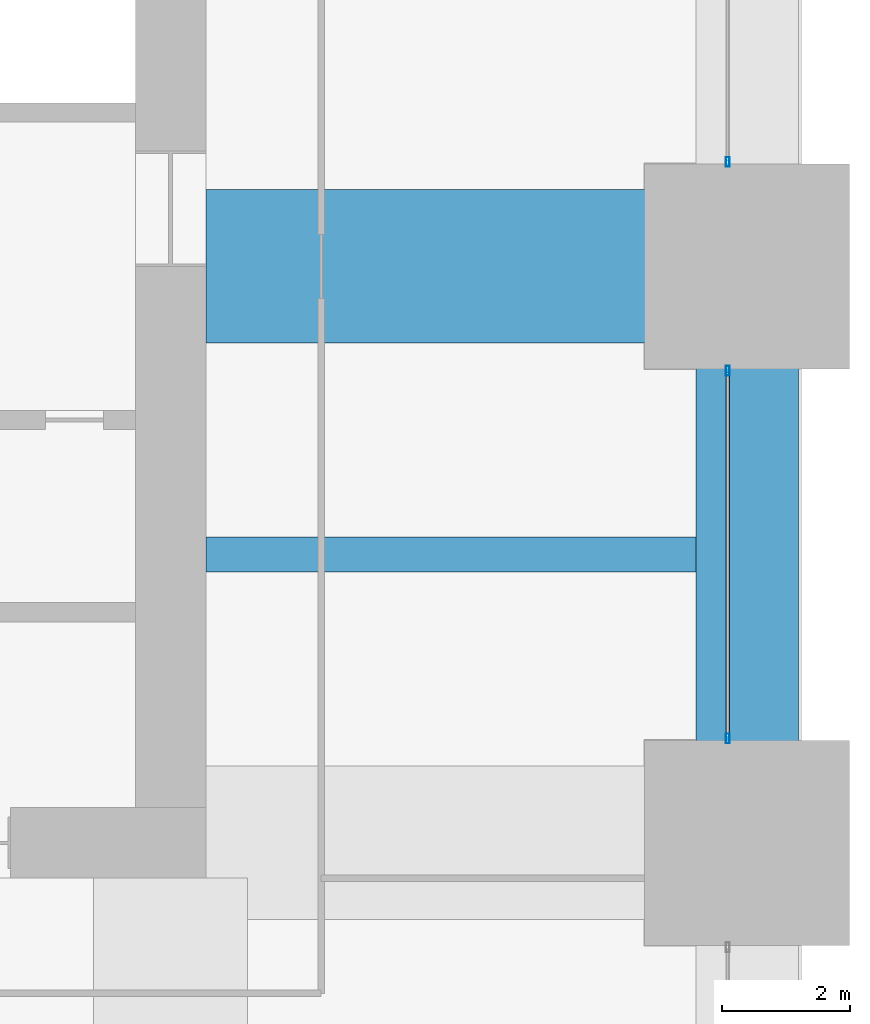
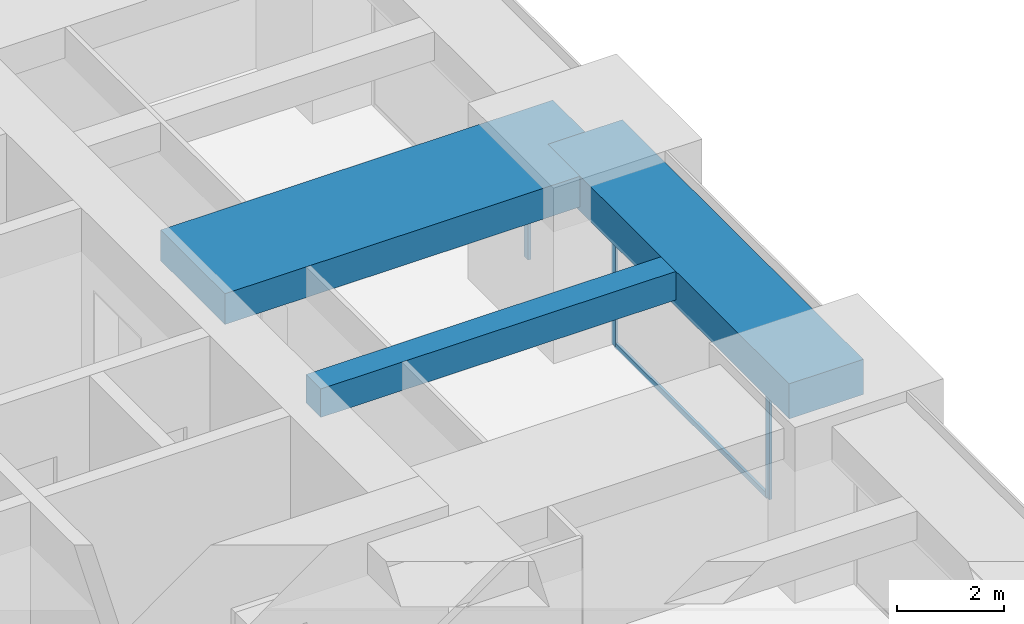
# One storey, part 19 of 36: 4 members, 3 beams, 2 elements without a shape of their own.
"""IFC4 building model written with IfcOpenShell, lengths in metres."""

from ifc_helpers import new_model, si_unit, direction, frame, origin, origin_2d, place, context, subcontext, project, spatial, rectangle, hollow_rectangle, extrude, material, material_profile, profile_set, type_object, element, aggregate, save


model = new_model("IFC4")

# Units and contexts
model_context = context("Model", 3, precision=1e-05, world=origin(), true_north=direction((0.0, 1.0)))
body_context = subcontext(model_context, "Body", "Model", "MODEL_VIEW")
ifc_project = project(units=[si_unit("LENGTHUNIT", "METRE"), si_unit("AREAUNIT", "SQUARE_METRE"), si_unit("VOLUMEUNIT", "CUBIC_METRE"), si_unit("PLANEANGLEUNIT", "RADIAN"), si_unit("MASSUNIT", "GRAM", prefix="KILO")], contexts=[model_context])

# Site, building, storey
site_placement = place(None, origin())
site = spatial("IfcSite", under=ifc_project, at=site_placement, CompositionType="ELEMENT")
building_placement = place(site_placement, origin())
building = spatial("IfcBuilding", under=site, at=building_placement, Name="Zorevar Civic Tower", CompositionType="ELEMENT")
storey_placement = place(building_placement, frame((0.0, 0.0, 166.199951171875)))
storey = spatial("IfcBuildingStorey", under=building, at=storey_placement, Name="L40", CompositionType="ELEMENT", Elevation=166.199951171875)

# Beams
ifc_material_1 = material(Name="Concrete C50/60", Category="concrete")
ifc_material_profile_1 = material_profile(ifc_material_1, rectangle(XDim=2.39990234375, YDim=0.699951171875, at=origin_2d()), Name="RC 2400x700")
ifc_profile_set_1 = profile_set([ifc_material_profile_1], Name="Concrete C50/60")
beam_type_1 = type_object("IfcBeamType", Name="Beam RC 2400x700", PredefinedType="BEAM", material=ifc_profile_set_1)
beam_1_placement = place(storey_placement, frame((45.550048828125, 27.0, 3.400146484375), z_axis=(1.0, 0.0, 0.0), x_axis=(0.0, 1.0, 0.0)))
element("IfcBeam", 1, at=beam_1_placement, inside=storey, type_object=beam_type_1, Name="Girder L41", PredefinedType="BEAM", context=body_context, shape_type="SweptSolid", body=[
    extrude(rectangle(XDim=2.39990234375, YDim=0.699951171875, at=origin_2d()), origin(), (0.0, 0.0, 1.0), 8.449951171875),
])
ifc_material_2 = material(Name="Concrete C50/60", Category="concrete")
ifc_material_profile_2 = material_profile(ifc_material_2, rectangle(XDim=0.550048828125, YDim=0.64990234375, at=origin_2d()), Name="RC 550x650")
ifc_profile_set_2 = profile_set([ifc_material_profile_2], Name="Concrete C50/60")
beam_type_2 = type_object("IfcBeamType", Name="Beam RC 550x650", PredefinedType="BEAM", material=ifc_profile_set_2)
beam_2_placement = place(storey_placement, frame((45.550048828125, 22.5, 3.425048828125), z_axis=(1.0, 0.0, 0.0), x_axis=(0.0, 1.0, 0.0)))
element("IfcBeam", 2, at=beam_2_placement, inside=storey, type_object=beam_type_2, Name="Secondary beam L41", PredefinedType="BEAM", context=body_context, shape_type="SweptSolid", body=[
    extrude(rectangle(XDim=0.550048828125, YDim=0.64990234375, at=origin_2d()), origin(), (0.0, 0.0, 1.0), 7.64990234375),
])

# Curtain wall, members
ifc_material_3 = material(Name="Dark grey solar-control glass in black aluminium frame", Category="aluminium")
curtain_wall_type = type_object("IfcCurtainWallType", Name="Curtain wall CW4 high zone", PredefinedType="NOTDEFINED", material=ifc_material_3)
curtain_wall_1_placement = place(storey_placement, origin())
curtain_wall_1 = element("IfcCurtainWall", 3, at=curtain_wall_1_placement, inside=storey, type_object=curtain_wall_type, Name="CW4 L40", PredefinedType="NOTDEFINED")
ifc_material_4 = material(Name="Aluminium, black anodised", Category="aluminium")
ifc_material_profile_3 = material_profile(ifc_material_4, hollow_rectangle(XDim=0.06005859375, YDim=0.14990234375, WallThickness=0.00390625, at=origin_2d()), Name="AL 150x60x4")
ifc_profile_set_3 = profile_set([ifc_material_profile_3], Name="Aluminium, black anodised")
member_type_1 = type_object("IfcMemberType", Name="CW4 mullion AL 150x60x4", PredefinedType="MULLION", material=ifc_profile_set_3)
member_1_placement = place(storey_placement, frame((53.699951171875, 19.6298828125, 0.0), z_axis=(0.0, 0.0, 1.0), x_axis=(-1.0, 0.0, 0.0)))
member_1 = element("IfcMember", 4, at=member_1_placement, type_object=member_type_1, Name="CW4 mullion 1", PredefinedType="MULLION", context=body_context, shape_type="SweptSolid", body=[
    extrude(hollow_rectangle(XDim=0.06005859375, YDim=0.14990234375, WallThickness=0.00390625, at=origin_2d()), origin(), (0.0, 0.0, 1.0), 2.949951171875),
])
member_2_placement = place(storey_placement, frame((53.699951171875, 25.3701171875, 0.0), z_axis=(0.0, 0.0, 1.0), x_axis=(-1.0, 0.0, 0.0)))
member_2 = element("IfcMember", 5, at=member_2_placement, type_object=member_type_1, Name="CW4 mullion 2", PredefinedType="MULLION", context=body_context, shape_type="SweptSolid", body=[
    extrude(hollow_rectangle(XDim=0.06005859375, YDim=0.14990234375, WallThickness=0.00390625, at=origin_2d()), origin(), (0.0, 0.0, 1.0), 2.949951171875),
])

# Curtain wall, member
curtain_wall_2_placement = place(storey_placement, origin())
curtain_wall_2 = element("IfcCurtainWall", 6, at=curtain_wall_2_placement, inside=storey, type_object=curtain_wall_type, Name="CW4 L40", PredefinedType="NOTDEFINED")
member_3_placement = place(storey_placement, frame((53.699951171875, 28.6298828125, 0.0), z_axis=(0.0, 0.0, 1.0), x_axis=(-1.0, 0.0, 0.0)))
member_3 = element("IfcMember", 7, at=member_3_placement, type_object=member_type_1, Name="CW4 mullion 1", PredefinedType="MULLION", context=body_context, shape_type="SweptSolid", body=[
    extrude(hollow_rectangle(XDim=0.06005859375, YDim=0.14990234375, WallThickness=0.00390625, at=origin_2d()), origin(), (0.0, 0.0, 1.0), 2.949951171875),
])
aggregate(curtain_wall_2, [member_3])

# Member
ifc_material_5 = material(Name="Aluminium, black anodised", Category="aluminium")
ifc_material_profile_4 = material_profile(ifc_material_5, hollow_rectangle(XDim=0.06005859375, YDim=0.1201171875, WallThickness=0.0029296875, at=origin_2d()), Name="AL 120x60x3")
ifc_profile_set_4 = profile_set([ifc_material_profile_4], Name="Aluminium, black anodised")
member_type_2 = type_object("IfcMemberType", Name="CW4 transom AL 120x60x3", PredefinedType="USERDEFINED", material=ifc_profile_set_4)
member_4_placement = place(storey_placement, frame((53.699951171875, 19.659912109375, 0.030029296875), z_axis=(0.0, 1.0, 0.0), x_axis=(-1.0, 0.0, 0.0)))
member_4 = element("IfcMember", 8, at=member_4_placement, type_object=member_type_2, Name="CW4 sill transom", ObjectType="TRANSOM", PredefinedType="USERDEFINED", context=body_context, shape_type="SweptSolid", body=[
    extrude(hollow_rectangle(XDim=0.06005859375, YDim=0.1201171875, WallThickness=0.0029296875, at=origin_2d()), origin(), (0.0, 0.0, 1.0), 5.68017578125),
])

aggregate(curtain_wall_1, [member_1, member_2, member_4])

# Beam
ifc_material_6 = material(Name="Concrete C50/60", Category="concrete")
ifc_material_profile_5 = material_profile(ifc_material_6, rectangle(XDim=1.60009765625, YDim=0.800048828125, at=origin_2d()), Name="RC 1600x800")
ifc_profile_set_5 = profile_set([ifc_material_profile_5], Name="Concrete C50/60")
beam_type_3 = type_object("IfcBeamType", Name="Edge beam RC 1600x800", PredefinedType="SPANDREL", material=ifc_profile_set_5)
beam_3_placement = place(storey_placement, frame((54.0, 18.0, 3.35009765625), z_axis=(0.0, 1.0, 0.0), x_axis=(-1.0, 0.0, 0.0)))
element("IfcBeam", 9, at=beam_3_placement, inside=storey, type_object=beam_type_3, Name="Edge beam L41", PredefinedType="SPANDREL", context=body_context, shape_type="SweptSolid", body=[
    extrude(rectangle(XDim=1.60009765625, YDim=0.800048828125, at=origin_2d()), origin(), (0.0, 0.0, 1.0), 9.0),
])

save(model, "model.ifc")
